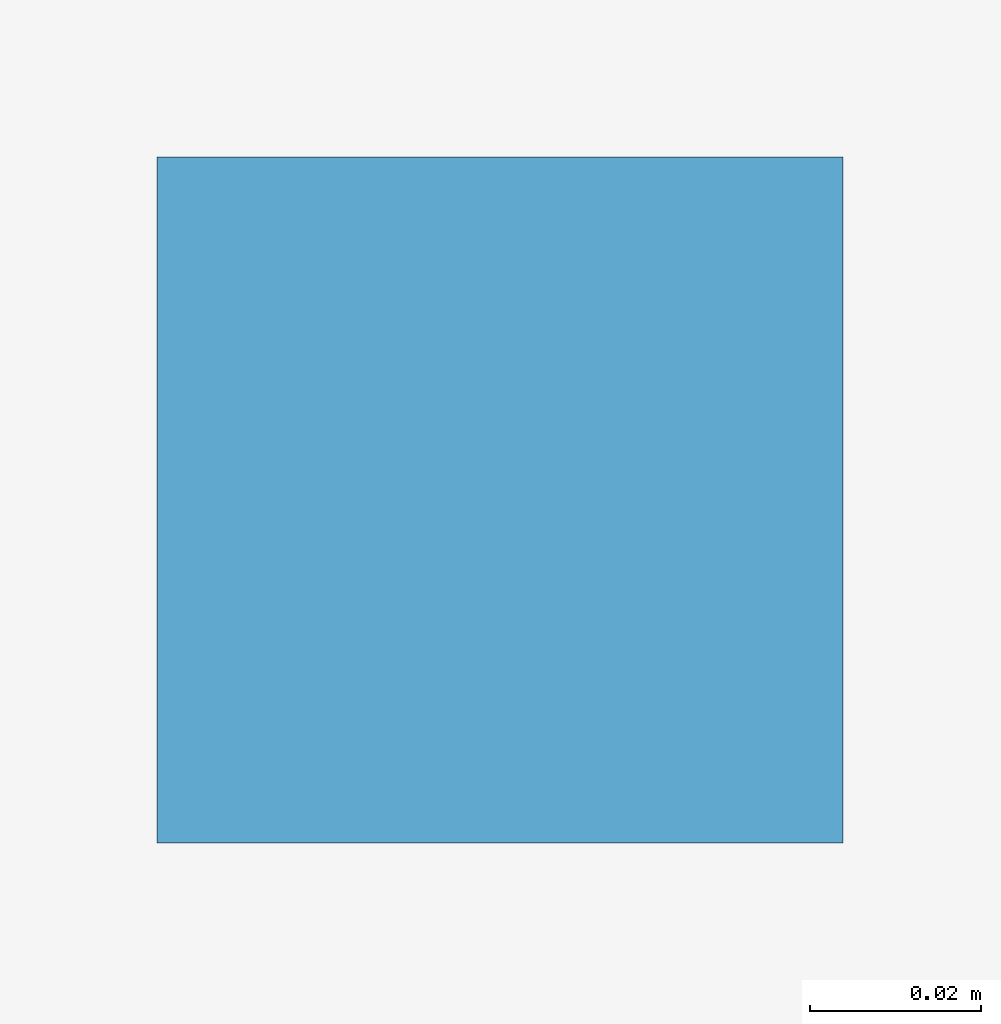
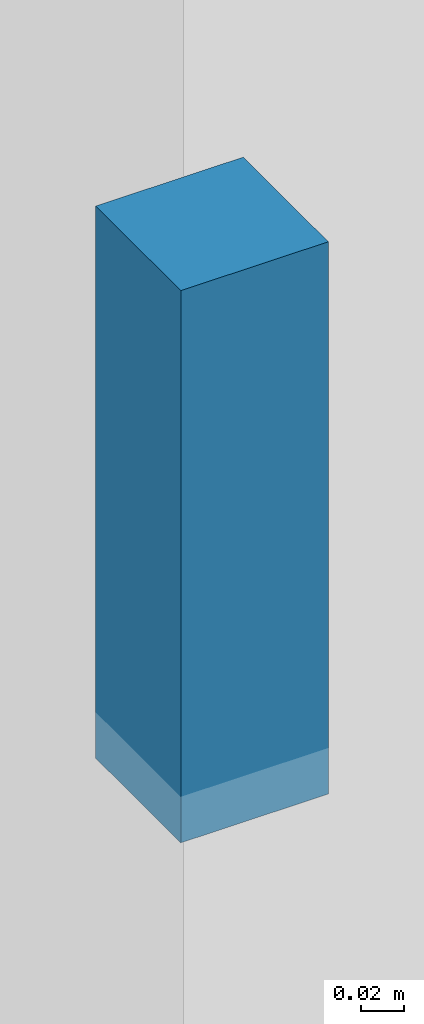
# One storey, part 92 of 116: 1 discrete accessory.
"""IFC4 building model written with IfcOpenShell, lengths in metres."""

from ifc_helpers import new_model, si_unit, direction, frame, origin, origin_2d, place, context, subcontext, project, spatial, rectangle, extrude, material, type_object, element, save


model = new_model("IFC4")

# Units and contexts
model_context = context("Model", 3, precision=1e-05, world=origin(), true_north=direction((0.0, 1.0)))
body_context = subcontext(model_context, "Body", "Model", "MODEL_VIEW")
ifc_project = project(units=[si_unit("LENGTHUNIT", "METRE"), si_unit("AREAUNIT", "SQUARE_METRE"), si_unit("VOLUMEUNIT", "CUBIC_METRE"), si_unit("PLANEANGLEUNIT", "RADIAN"), si_unit("MASSUNIT", "GRAM", prefix="KILO")], contexts=[model_context])

# Site, building, storey
site_placement = place(None, origin())
site = spatial("IfcSite", under=ifc_project, at=site_placement, CompositionType="ELEMENT")
building_placement = place(site_placement, origin())
building = spatial("IfcBuilding", under=site, at=building_placement, Name="Chalmorin Arch Market", CompositionType="ELEMENT")
storey_placement = place(building_placement, origin())
storey = spatial("IfcBuildingStorey", under=building, at=storey_placement, Name="L00", CompositionType="ELEMENT", Elevation=0.0)

# Discrete accessory
ifc_material = material(Name="Galvanized Cold-Formed Steel", Category="steel")
discrete_accessory_type = type_object("IfcDiscreteAccessoryType", Name="CeilingSuspensionBracket-80x80", PredefinedType="BRACKET", material=ifc_material)
discrete_accessory_placement = place(storey_placement, frame((11.85009765625, 13.0, 4.253173828125), z_axis=(0.0, 0.0, 1.0), x_axis=(1.0, 0.0, 0.0)))
element("IfcDiscreteAccessory", 1, at=discrete_accessory_placement, inside=storey, type_object=discrete_accessory_type, Name="CSB-095", PredefinedType="BRACKET", context=body_context, shape_type="SweptSolid", body=[
    extrude(rectangle(XDim=0.080078125, YDim=0.080078125, at=origin_2d()), origin(), (0.0, 0.0, 1.0), 0.31689453125),
])

save(model, "model.ifc")
